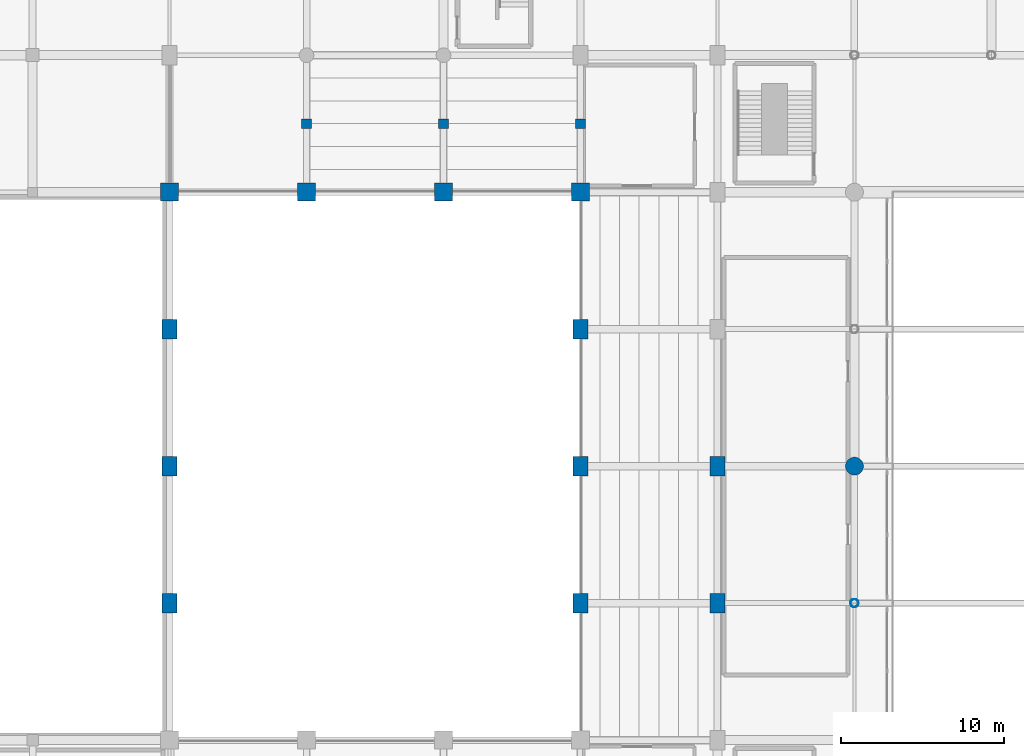
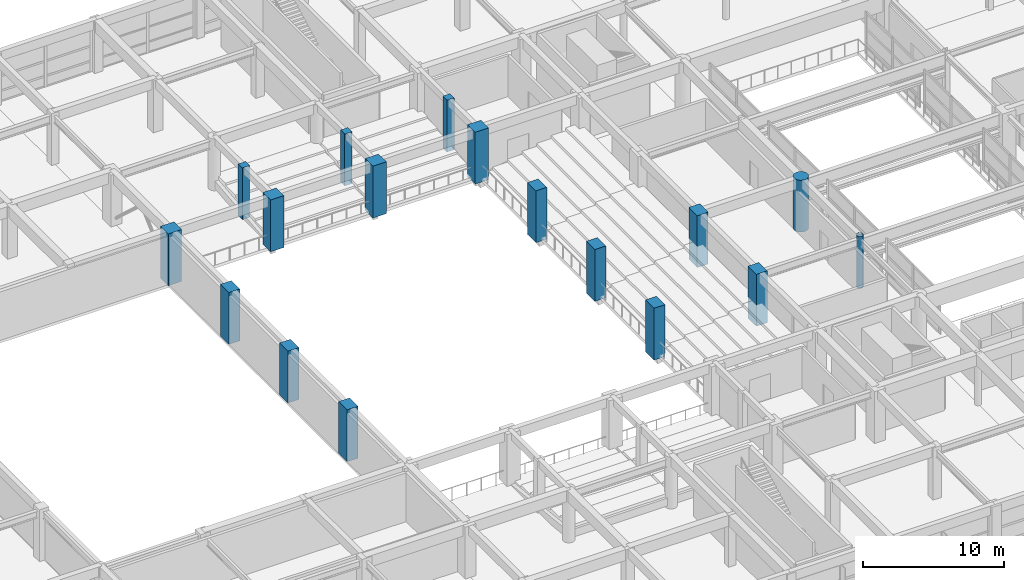
# One storey, part 3 of 62: 17 columns.
"""IFC4 building model written with IfcOpenShell, lengths in metres."""

from ifc_helpers import new_model, si_unit, direction, frame, origin, origin_2d, place, context, subcontext, project, spatial, rectangle, circle, hollow_circle, extrude, material, material_profile, profile_set, type_object, element, save


model = new_model("IFC4")

# Units and contexts
model_context = context("Model", 3, precision=1e-05, world=origin(), true_north=direction((0.0, 1.0)))
body_context = subcontext(model_context, "Body", "Model", "MODEL_VIEW")
ifc_project = project(units=[si_unit("LENGTHUNIT", "METRE"), si_unit("AREAUNIT", "SQUARE_METRE"), si_unit("VOLUMEUNIT", "CUBIC_METRE"), si_unit("PLANEANGLEUNIT", "RADIAN"), si_unit("MASSUNIT", "GRAM", prefix="KILO")], contexts=[model_context])

# Site, building, storey
site_placement = place(None, origin())
site = spatial("IfcSite", under=ifc_project, at=site_placement, CompositionType="ELEMENT")
building_placement = place(site_placement, origin())
building = spatial("IfcBuilding", under=site, at=building_placement, Name="Xuanlan Plaza Opera House", CompositionType="ELEMENT")
storey_placement = place(building_placement, frame((0.0, 0.0, 14.39990234375)))
storey = spatial("IfcBuildingStorey", under=building, at=storey_placement, Name="L03", CompositionType="ELEMENT", Elevation=14.39990234375)

# Columns
ifc_material_1 = material(Name="Concrete C50", Category="concrete")
ifc_material_profile_1 = material_profile(ifc_material_1, rectangle(XDim=1.10009765625, YDim=1.10009765625, at=origin_2d()), Name="RC-COL 1100x1100")
ifc_profile_set_1 = profile_set([ifc_material_profile_1], Name="Concrete C50")
column_type_1 = type_object("IfcColumnType", Name="STR-COL-C-03", PredefinedType="COLUMN", material=ifc_profile_set_1)
for number, where, z_axis, x_axis, name in (
    (1, (67.199951171875, 75.60009765625, 0.0), (0.0, 0.0, 1.0), (1.0, 0.0, 0.0), "Column L03 9-J"),
    (2, (75.60009765625, 75.60009765625, 0.0), (0.0, 0.0, 1.0), (1.0, 0.0, 0.0), "Column L03 10-J"),
    (3, (84.0, 75.60009765625, 0.0), (0.0, 0.0, 1.0), (1.0, 0.0, 0.0), "Column L03 11-J"),
    (4, (92.39990234375, 75.60009765625, 0.0), (0.0, 0.0, 1.0), (1.0, 0.0, 0.0), "Column L03 12-J"),
):
    element("IfcColumn", number, at=place(storey_placement, frame(where, z_axis=z_axis, x_axis=x_axis)), inside=storey, type_object=column_type_1, Name=name, PredefinedType="COLUMN", context=body_context, shape_type="SweptSolid", body=[
        extrude(rectangle(XDim=1.10009765625, YDim=1.10009765625, at=origin_2d()), origin(), (0.0, 0.0, 1.0), 4.5),
    ])
ifc_material_2 = material(Name="Concrete C40", Category="concrete")
ifc_material_profile_2 = material_profile(ifc_material_2, rectangle(XDim=0.60009765625, YDim=0.60009765625, at=origin_2d()), Name="RC-COL 600x600")
ifc_profile_set_2 = profile_set([ifc_material_profile_2], Name="Concrete C40")
column_type_2 = type_object("IfcColumnType", Name="STR-COL-C-08", PredefinedType="COLUMN", material=ifc_profile_set_2)
for number, where, z_axis, x_axis, name in (
    (5, (75.60009765625, 79.800048828125, 0.0), (0.0, 0.0, 1.0), (1.0, 0.0, 0.0), "Side Tier Support Column L03 N X75"),
    (6, (84.0, 79.800048828125, 0.0), (0.0, 0.0, 1.0), (1.0, 0.0, 0.0), "Side Tier Support Column L03 N X84"),
    (7, (92.39990234375, 79.800048828125, 0.0), (0.0, 0.0, 1.0), (1.0, 0.0, 0.0), "Side Tier Support Column L03 N X92"),
):
    element("IfcColumn", number, at=place(storey_placement, frame(where, z_axis=z_axis, x_axis=x_axis)), inside=storey, type_object=column_type_2, Name=name, PredefinedType="COLUMN", context=body_context, shape_type="SweptSolid", body=[
        extrude(rectangle(XDim=0.60009765625, YDim=0.60009765625, at=origin_2d()), origin(), (0.0, 0.0, 1.0), 4.5),
    ])
ifc_material_profile_3 = material_profile(ifc_material_1, rectangle(XDim=0.89990234375, YDim=1.199951171875, at=origin_2d()), Name="RC-COL 900x1200")
ifc_profile_set_3 = profile_set([ifc_material_profile_3], Name="Concrete C50")
column_type_3 = type_object("IfcColumnType", Name="STR-COL-C-10", PredefinedType="COLUMN", material=ifc_profile_set_3)
for number, where, z_axis, x_axis, name in (
    (8, (67.199951171875, 50.39990234375, 0.0), (0.0, 0.0, 1.0), (1.0, 0.0, 0.0), "Column L03 9-G"),
    (9, (67.199951171875, 58.800048828125, 0.0), (0.0, 0.0, 1.0), (1.0, 0.0, 0.0), "Column L03 9-H"),
    (10, (67.199951171875, 67.199951171875, 0.0), (0.0, 0.0, 1.0), (1.0, 0.0, 0.0), "Column L03 9-I"),
    (11, (92.39990234375, 50.39990234375, 0.0), (0.0, 0.0, 1.0), (1.0, 0.0, 0.0), "Column L03 12-G"),
    (12, (92.39990234375, 58.800048828125, 0.0), (0.0, 0.0, 1.0), (1.0, 0.0, 0.0), "Column L03 12-H"),
    (13, (92.39990234375, 67.199951171875, 0.0), (0.0, 0.0, 1.0), (1.0, 0.0, 0.0), "Column L03 12-I"),
    (14, (100.800048828125, 50.39990234375, 0.0), (0.0, 0.0, 1.0), (1.0, 0.0, 0.0), "Column L03 13-G"),
    (15, (100.800048828125, 58.800048828125, 0.0), (0.0, 0.0, 1.0), (1.0, 0.0, 0.0), "Column L03 13-H"),
):
    element("IfcColumn", number, at=place(storey_placement, frame(where, z_axis=z_axis, x_axis=x_axis)), inside=storey, type_object=column_type_3, Name=name, PredefinedType="COLUMN", context=body_context, shape_type="SweptSolid", body=[
        extrude(rectangle(XDim=0.89990234375, YDim=1.199951171875, at=origin_2d()), origin(), (0.0, 0.0, 1.0), 4.5),
    ])
ifc_material_profile_4 = material_profile(ifc_material_1, circle(Radius=0.550048828125, at=origin_2d()), Name="RC-COL D1100")
ifc_profile_set_4 = profile_set([ifc_material_profile_4], Name="Concrete C50")
column_type_4 = type_object("IfcColumnType", Name="STR-COL-C-11", PredefinedType="COLUMN", material=ifc_profile_set_4)
column_1_placement = place(storey_placement, frame((109.199951171875, 58.800048828125, 0.0), z_axis=(0.0, 0.0, 1.0), x_axis=(1.0, 0.0, 0.0)))
element("IfcColumn", 16, at=column_1_placement, inside=storey, type_object=column_type_4, Name="Column L03 14-H", PredefinedType="COLUMN", context=body_context, shape_type="SweptSolid", body=[
    extrude(circle(Radius=0.550048828125, at=origin_2d()), origin(), (0.0, 0.0, 1.0), 4.5),
])
ifc_material_3 = material(Name="Steel Q355B", Category="steel")
ifc_material_profile_5 = material_profile(ifc_material_3, hollow_circle(Radius=0.25390625, WallThickness=0.02001953125, at=origin_2d()), Name="CHS 508x20")
ifc_profile_set_5 = profile_set([ifc_material_profile_5], Name="Steel Q355B")
column_type_5 = type_object("IfcColumnType", Name="STR-COL-C-16", PredefinedType="COLUMN", material=ifc_profile_set_5)
column_2_placement = place(storey_placement, frame((109.199951171875, 50.39990234375, 0.0), z_axis=(0.0, 0.0, 1.0), x_axis=(1.0, 0.0, 0.0)))
element("IfcColumn", 17, at=column_2_placement, inside=storey, type_object=column_type_5, Name="Column L03 14-G", PredefinedType="COLUMN", context=body_context, shape_type="SweptSolid", body=[
    extrude(hollow_circle(Radius=0.25390625, WallThickness=0.02001953125, at=origin_2d()), origin(), (0.0, 0.0, 1.0), 4.5),
])

save(model, "model.ifc")
